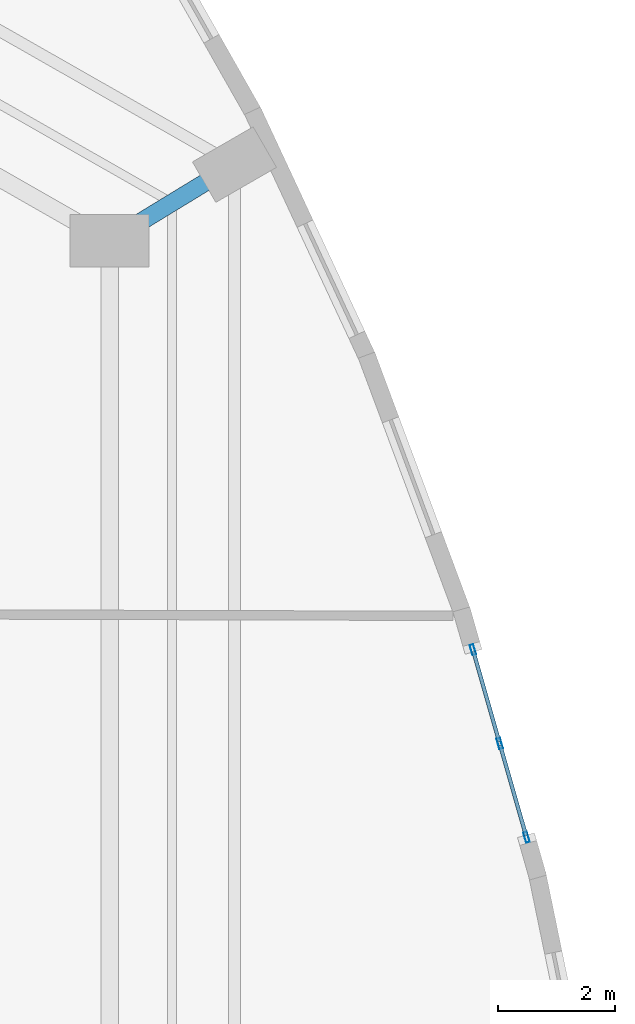
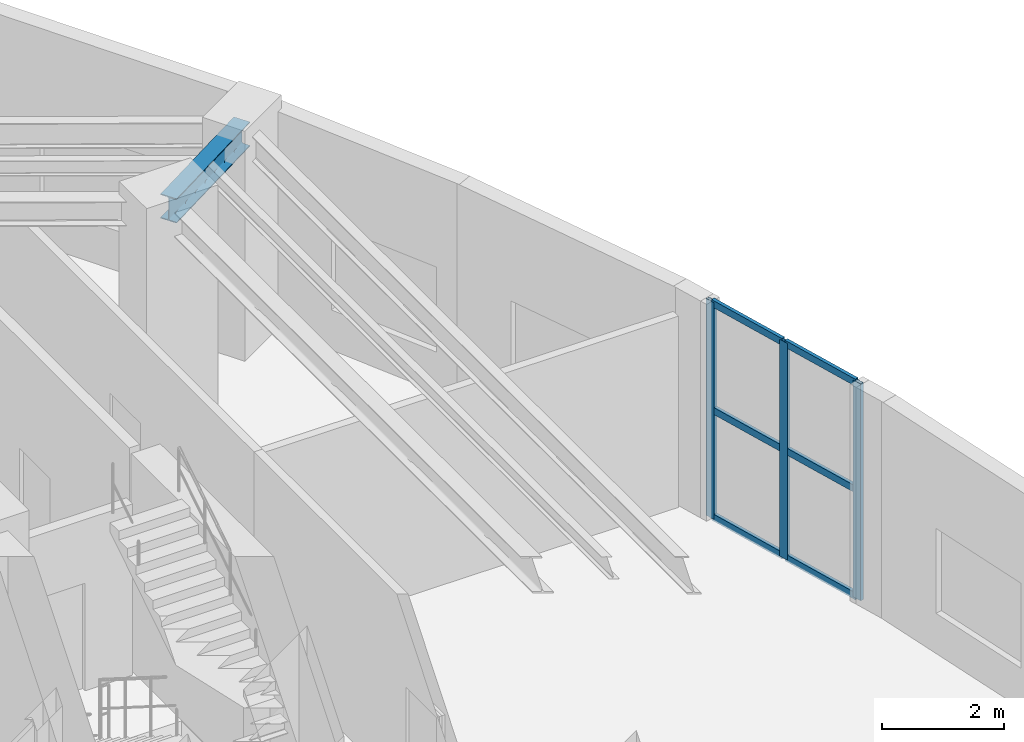
# One storey, part 9 of 17: 9 members, 1 beam, 1 element without a shape of its own.
"""IFC4 building model written with IfcOpenShell, lengths in metres."""

from ifc_helpers import new_model, si_unit, direction, frame, origin, origin_2d, place, context, subcontext, project, spatial, hollow_rectangle, i_section, extrude, material, layer, layer_set, material_profile, profile_set, type_object, element, aggregate, save


model = new_model("IFC4")

# Units and contexts
model_context = context("Model", 3, precision=1e-05, world=origin(), true_north=direction((0.0, 1.0)))
body_context = subcontext(model_context, "Body", "Model", "MODEL_VIEW")
ifc_project = project(units=[si_unit("LENGTHUNIT", "METRE"), si_unit("AREAUNIT", "SQUARE_METRE"), si_unit("VOLUMEUNIT", "CUBIC_METRE"), si_unit("PLANEANGLEUNIT", "RADIAN"), si_unit("MASSUNIT", "GRAM", prefix="KILO")], contexts=[model_context])

# Site, building, storey
site_placement = place(None, origin())
site = spatial("IfcSite", under=ifc_project, at=site_placement, CompositionType="ELEMENT")
building_placement = place(site_placement, origin())
building = spatial("IfcBuilding", under=site, at=building_placement, Name="Miruveldt Soraemaru", CompositionType="ELEMENT")
storey_placement = place(building_placement, frame((0.0, 0.0, 95.800048828125)))
storey = spatial("IfcBuildingStorey", under=building, at=storey_placement, Name="L26", CompositionType="ELEMENT", Elevation=95.800048828125)

# Beam
ifc_material_1 = material(Name="Steel SM355 (355 MPa)", Category="steel")
ifc_material_profile_1 = material_profile(ifc_material_1, i_section(OverallWidth=0.300048828125, OverallDepth=0.488037109375, WebThickness=0.010986328125, FlangeThickness=0.01806640625, FilletRadius=0.02587890625, at=origin_2d()), Name="Steel SM355 (355 MPa)", Category="steel")
ifc_profile_set_1 = profile_set([ifc_material_profile_1], Name="Steel SM355 (355 MPa)")
beam_type = type_object("IfcBeamType", Name="BM-ST-H488", PredefinedType="BEAM", material=ifc_profile_set_1)
beam_placement = place(storey_placement, frame((56.60009765625, 50.39990234375, 4.091064453125), z_axis=(0.85373175529, 0.520713059188, 0.0), x_axis=(-0.520713059188, 0.85373175529, 0.0)))
element("IfcBeam", 1, at=beam_placement, inside=storey, type_object=beam_type, Name="L26 Zone-2 Radial Girder 2", PredefinedType="BEAM", context=body_context, shape_type="SweptSolid", body=[
    extrude(i_section(OverallWidth=0.300048828125, OverallDepth=0.488037109375, WebThickness=0.010986328125, FlangeThickness=0.01806640625, FilletRadius=0.02587890625, at=origin_2d()), origin(), (0.0, 0.0, 1.0), 2.506591796875),
])

# Curtain wall, members
ifc_material_2 = material(Name="Anodised aluminium EN AW-6063 T6", Category="aluminium")
ifc_layer = layer(ifc_material_2, 0.179931640625, Name="Anodised aluminium EN AW-6063 T6", Category="aluminium")
ifc_layer_set = layer_set([ifc_layer], Name="Anodised aluminium EN AW-6063 T6")
curtain_wall_type = type_object("IfcCurtainWallType", Name="CW-SYS-4", PredefinedType="USERDEFINED", material=ifc_layer_set)
curtain_wall_placement = place(storey_placement, origin())
curtain_wall = element("IfcCurtainWall", 2, at=curtain_wall_placement, inside=storey, type_object=curtain_wall_type, Name="L26 Curtain Wall Bay 36", ObjectType="UNITISED GLAZING", PredefinedType="USERDEFINED")
ifc_material_profile_2 = material_profile(ifc_material_2, hollow_rectangle(XDim=0.06494140625, YDim=0.179931640625, WallThickness=0.00390625, at=origin_2d()), Name="Anodised aluminium EN AW-6063 T6", Category="aluminium")
ifc_profile_set_2 = profile_set([ifc_material_profile_2], Name="Anodised aluminium EN AW-6063 T6")
member_type_1 = type_object("IfcMemberType", Name="CWM-4", PredefinedType="MULLION", material=ifc_profile_set_2)
member_1_placement = place(storey_placement, frame((63.741943359375, 40.185546875, 0.0), z_axis=(0.0, 0.0, 1.0), x_axis=(-0.961448572877, -0.274984802694, 0.0)))
member_1 = element("IfcMember", 3, at=member_1_placement, type_object=member_type_1, Name="CW-4 mullion 1", PredefinedType="MULLION", context=body_context, shape_type="SweptSolid", body=[
    extrude(hollow_rectangle(XDim=0.06494140625, YDim=0.179931640625, WallThickness=0.00390625, at=origin_2d()), origin(), (0.0, 0.0, 1.0), 4.3349609375),
])
member_2_placement = place(storey_placement, frame((63.28271484375, 41.791748046875, 0.0), z_axis=(0.0, 0.0, 1.0), x_axis=(-0.961448572877, -0.274984802694, 0.0)))
member_2 = element("IfcMember", 4, at=member_2_placement, type_object=member_type_1, Name="CW-4 mullion 2", PredefinedType="MULLION", context=body_context, shape_type="SweptSolid", body=[
    extrude(hollow_rectangle(XDim=0.06494140625, YDim=0.179931640625, WallThickness=0.00390625, at=origin_2d()), origin(), (0.0, 0.0, 1.0), 4.3349609375),
])
member_3_placement = place(storey_placement, frame((62.8232421875, 43.397705078125, 0.0), z_axis=(0.0, 0.0, 1.0), x_axis=(-0.961448572877, -0.274984802694, 0.0)))
member_3 = element("IfcMember", 5, at=member_3_placement, type_object=member_type_1, Name="CW-4 mullion 3", PredefinedType="MULLION", context=body_context, shape_type="SweptSolid", body=[
    extrude(hollow_rectangle(XDim=0.06494140625, YDim=0.179931640625, WallThickness=0.00390625, at=origin_2d()), origin(), (0.0, 0.0, 1.0), 4.3349609375),
])
ifc_material_profile_3 = material_profile(ifc_material_2, hollow_rectangle(XDim=0.06494140625, YDim=0.139892578125, WallThickness=0.00390625, at=origin_2d()), Name="Anodised aluminium EN AW-6063 T6", Category="aluminium")
ifc_profile_set_3 = profile_set([ifc_material_profile_3], Name="Anodised aluminium EN AW-6063 T6")
member_type_2 = type_object("IfcMemberType", Name="CWT-4", PredefinedType="USERDEFINED", material=ifc_profile_set_3)
member_4_placement = place(storey_placement, frame((63.733154296875, 40.216796875, 0.032470703125), z_axis=(-0.274921954022, 0.961466546062, 0.0), x_axis=(-0.961466546062, -0.274921954022, 0.0)))
member_4 = element("IfcMember", 6, at=member_4_placement, type_object=member_type_2, Name="CW-4 transom 1.1", ObjectType="TRANSOM", PredefinedType="USERDEFINED", context=body_context, shape_type="SweptSolid", body=[
    extrude(hollow_rectangle(XDim=0.06494140625, YDim=0.139892578125, WallThickness=0.00390625, at=origin_2d()), origin(), (0.0, 0.0, 1.0), 1.60546875),
])
member_5_placement = place(storey_placement, frame((63.733154296875, 40.216796875, 2.16748046875), z_axis=(-0.274921954022, 0.961466546062, 0.0), x_axis=(-0.961466546062, -0.274921954022, 0.0)))
member_5 = element("IfcMember", 7, at=member_5_placement, type_object=member_type_2, Name="CW-4 transom 1.2", ObjectType="TRANSOM", PredefinedType="USERDEFINED", context=body_context, shape_type="SweptSolid", body=[
    extrude(hollow_rectangle(XDim=0.06494140625, YDim=0.139892578125, WallThickness=0.00390625, at=origin_2d()), origin(), (0.0, 0.0, 1.0), 1.60546875),
])
member_6_placement = place(storey_placement, frame((63.733154296875, 40.216796875, 4.302490234375), z_axis=(-0.274921954022, 0.961466546062, 0.0), x_axis=(-0.961466546062, -0.274921954022, 0.0)))
member_6 = element("IfcMember", 8, at=member_6_placement, type_object=member_type_2, Name="CW-4 transom 1.3", ObjectType="TRANSOM", PredefinedType="USERDEFINED", context=body_context, shape_type="SweptSolid", body=[
    extrude(hollow_rectangle(XDim=0.06494140625, YDim=0.139892578125, WallThickness=0.00390625, at=origin_2d()), origin(), (0.0, 0.0, 1.0), 1.60546875),
])
member_7_placement = place(storey_placement, frame((63.273681640625, 41.822998046875, 0.032470703125), z_axis=(-0.274962153045, 0.961455050636, 0.0), x_axis=(-0.961455050636, -0.274962153045, 0.0)))
member_7 = element("IfcMember", 9, at=member_7_placement, type_object=member_type_2, Name="CW-4 transom 2.1", ObjectType="TRANSOM", PredefinedType="USERDEFINED", context=body_context, shape_type="SweptSolid", body=[
    extrude(hollow_rectangle(XDim=0.06494140625, YDim=0.139892578125, WallThickness=0.00390625, at=origin_2d()), origin(), (0.0, 0.0, 1.0), 1.605224609375),
])
member_8_placement = place(storey_placement, frame((63.273681640625, 41.822998046875, 2.16748046875), z_axis=(-0.274962153045, 0.961455050636, 0.0), x_axis=(-0.961455050636, -0.274962153045, 0.0)))
member_8 = element("IfcMember", 10, at=member_8_placement, type_object=member_type_2, Name="CW-4 transom 2.2", ObjectType="TRANSOM", PredefinedType="USERDEFINED", context=body_context, shape_type="SweptSolid", body=[
    extrude(hollow_rectangle(XDim=0.06494140625, YDim=0.139892578125, WallThickness=0.00390625, at=origin_2d()), origin(), (0.0, 0.0, 1.0), 1.605224609375),
])
member_9_placement = place(storey_placement, frame((63.273681640625, 41.822998046875, 4.302490234375), z_axis=(-0.274962153045, 0.961455050636, 0.0), x_axis=(-0.961455050636, -0.274962153045, 0.0)))
member_9 = element("IfcMember", 11, at=member_9_placement, type_object=member_type_2, Name="CW-4 transom 2.3", ObjectType="TRANSOM", PredefinedType="USERDEFINED", context=body_context, shape_type="SweptSolid", body=[
    extrude(hollow_rectangle(XDim=0.06494140625, YDim=0.139892578125, WallThickness=0.00390625, at=origin_2d()), origin(), (0.0, 0.0, 1.0), 1.605224609375),
])
aggregate(curtain_wall, [member_1, member_2, member_3, member_4, member_5, member_6, member_7, member_8, member_9])

save(model, "model.ifc")
